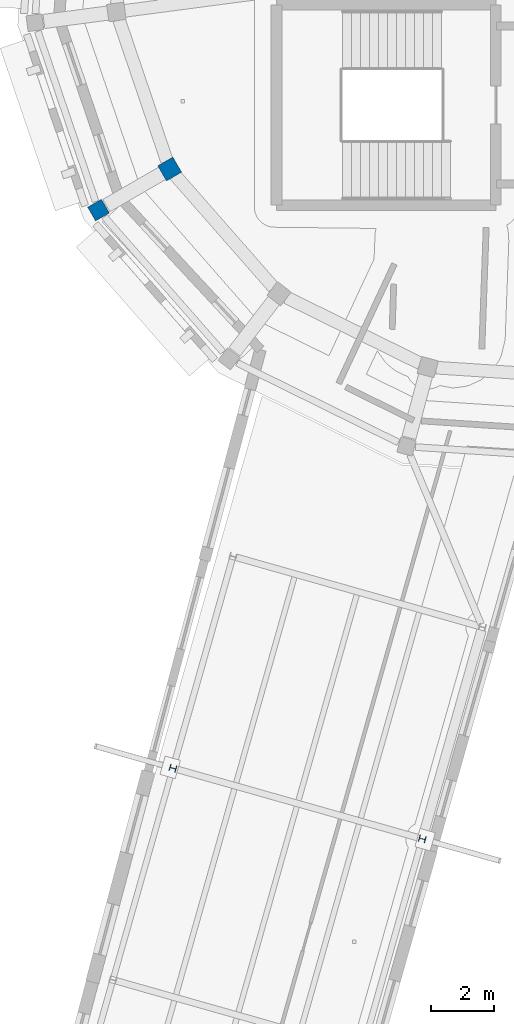
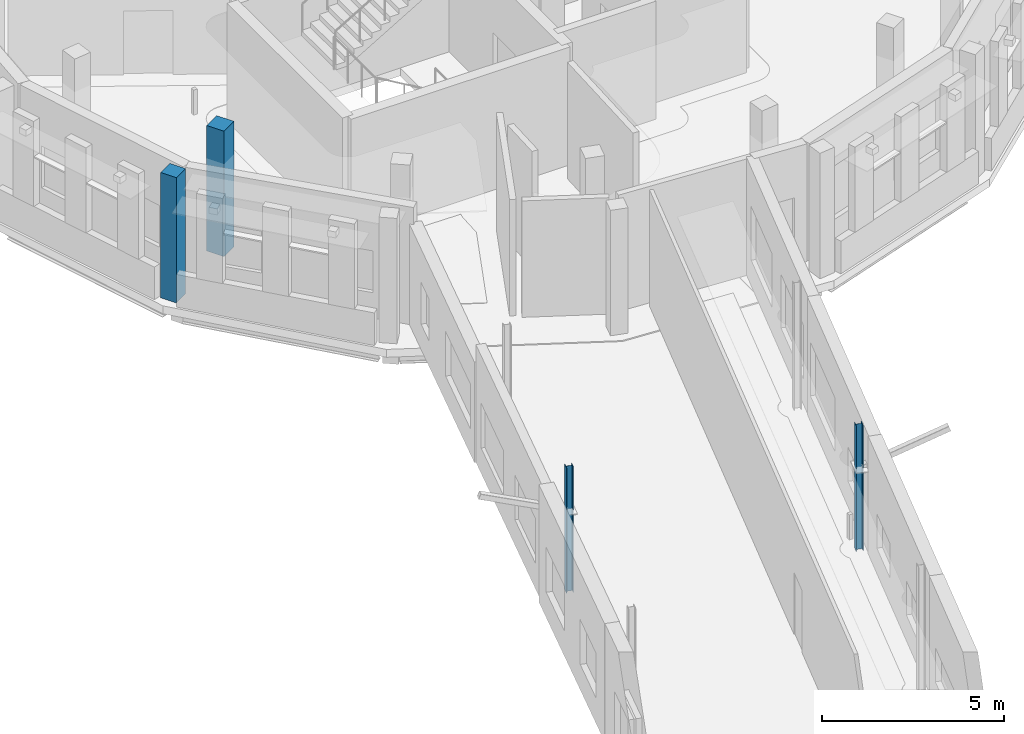
# One storey, part 16 of 90: 4 columns.
"""IFC4 building model written with IfcOpenShell, lengths in metres."""

from ifc_helpers import new_model, si_unit, direction, frame, origin, origin_2d, place, context, subcontext, project, spatial, rectangle, i_section, extrude, material, material_profile, profile_set, type_object, element, save


model = new_model("IFC4")

# Units and contexts
model_context = context("Model", 3, precision=1e-05, world=origin(), true_north=direction((0.0, 1.0)))
body_context = subcontext(model_context, "Body", "Model", "MODEL_VIEW")
ifc_project = project(units=[si_unit("LENGTHUNIT", "METRE"), si_unit("AREAUNIT", "SQUARE_METRE"), si_unit("VOLUMEUNIT", "CUBIC_METRE"), si_unit("PLANEANGLEUNIT", "RADIAN"), si_unit("MASSUNIT", "GRAM", prefix="KILO")], contexts=[model_context])

# Site, building, storey
site_placement = place(None, origin())
site = spatial("IfcSite", under=ifc_project, at=site_placement, CompositionType="ELEMENT")
building_placement = place(site_placement, origin())
building = spatial("IfcBuilding", under=site, at=building_placement, Name="Wrenclough Park School", CompositionType="ELEMENT")
storey_placement = place(building_placement, frame((0.0, 0.0, 8.39990234375)))
storey = spatial("IfcBuildingStorey", under=building, at=storey_placement, Name="L02", CompositionType="ELEMENT", Elevation=8.39990234375)

# Columns
ifc_material_1 = material(Name="Concrete C40/50", Category="concrete")
ifc_material_profile_1 = material_profile(ifc_material_1, rectangle(XDim=0.5, YDim=0.5, at=origin_2d()), Name="RC COL 500x500")
ifc_profile_set_1 = profile_set([ifc_material_profile_1], Name="Concrete C40/50")
column_type_1 = type_object("IfcColumnType", Name="STR-COL-RC500", PredefinedType="COLUMN", material=ifc_profile_set_1)
column_1_placement = place(storey_placement, frame((160.600341796875, 85.47509765625, 0.0), z_axis=(0.0, 0.0, 1.0), x_axis=(0.5, -0.866025403784, 0.0)))
element("IfcColumn", 1, at=column_1_placement, inside=storey, type_object=column_type_1, Name="D5 L02 column D5-OUT-10", PredefinedType="COLUMN", context=body_context, shape_type="SweptSolid", body=[
    extrude(rectangle(XDim=0.5, YDim=0.5, at=origin_2d()), origin(), (0.0, 0.0, 1.0), 4.2001953125),
])
ifc_material_profile_2 = material_profile(ifc_material_1, rectangle(XDim=0.550048828125, YDim=0.550048828125, at=origin_2d()), Name="RC COL 550x550")
ifc_profile_set_2 = profile_set([ifc_material_profile_2], Name="Concrete C40/50")
column_type_2 = type_object("IfcColumnType", Name="STR-COL-RC550", PredefinedType="COLUMN", material=ifc_profile_set_2)
column_2_placement = place(storey_placement, frame((162.85205078125, 86.77490234375, 0.0), z_axis=(0.0, 0.0, 1.0), x_axis=(0.5, -0.866025403784, 0.0)))
element("IfcColumn", 2, at=column_2_placement, inside=storey, type_object=column_type_2, Name="D5 L02 column D5-MID-10", PredefinedType="COLUMN", context=body_context, shape_type="SweptSolid", body=[
    extrude(rectangle(XDim=0.550048828125, YDim=0.550048828125, at=origin_2d()), origin(), (0.0, 0.0, 1.0), 4.2001953125),
])
ifc_material_2 = material(Name="Structural steel S355", Category="steel")
ifc_material_profile_3 = material_profile(ifc_material_2, i_section(OverallWidth=0.20361328125, OverallDepth=0.203125, WebThickness=0.007080078125, FlangeThickness=0.010986328125, FilletRadius=0.01025390625, at=origin_2d()), Name="UKC 203x203x46")
ifc_profile_set_3 = profile_set([ifc_material_profile_3], Name="Structural steel S355")
column_type_3 = type_object("IfcColumnType", Name="STR-COL-UKC203A", PredefinedType="COLUMN", material=ifc_profile_set_3)
for number, where, z_axis, x_axis, name in (
    (3, (162.95556640625, 67.818603515625, 0.0), (0.0, 0.0, 1.0), (0.272784025857, 0.962075296033, 0.0), "W14 L02 column W14-C1-L06"),
    (4, (170.844482421875, 65.581298828125, 0.0), (0.0, 0.0, 1.0), (0.272784025857, 0.962075296033, 0.0), "W14 L02 column W14-C1-R06"),
):
    element("IfcColumn", number, at=place(storey_placement, frame(where, z_axis=z_axis, x_axis=x_axis)), inside=storey, type_object=column_type_3, Name=name, PredefinedType="COLUMN", context=body_context, shape_type="SweptSolid", body=[
        extrude(i_section(OverallWidth=0.20361328125, OverallDepth=0.203125, WebThickness=0.007080078125, FlangeThickness=0.010986328125, FilletRadius=0.01025390625, at=origin_2d()), origin(), (0.0, 0.0, 1.0), 4.2001953125),
    ])

save(model, "model.ifc")
